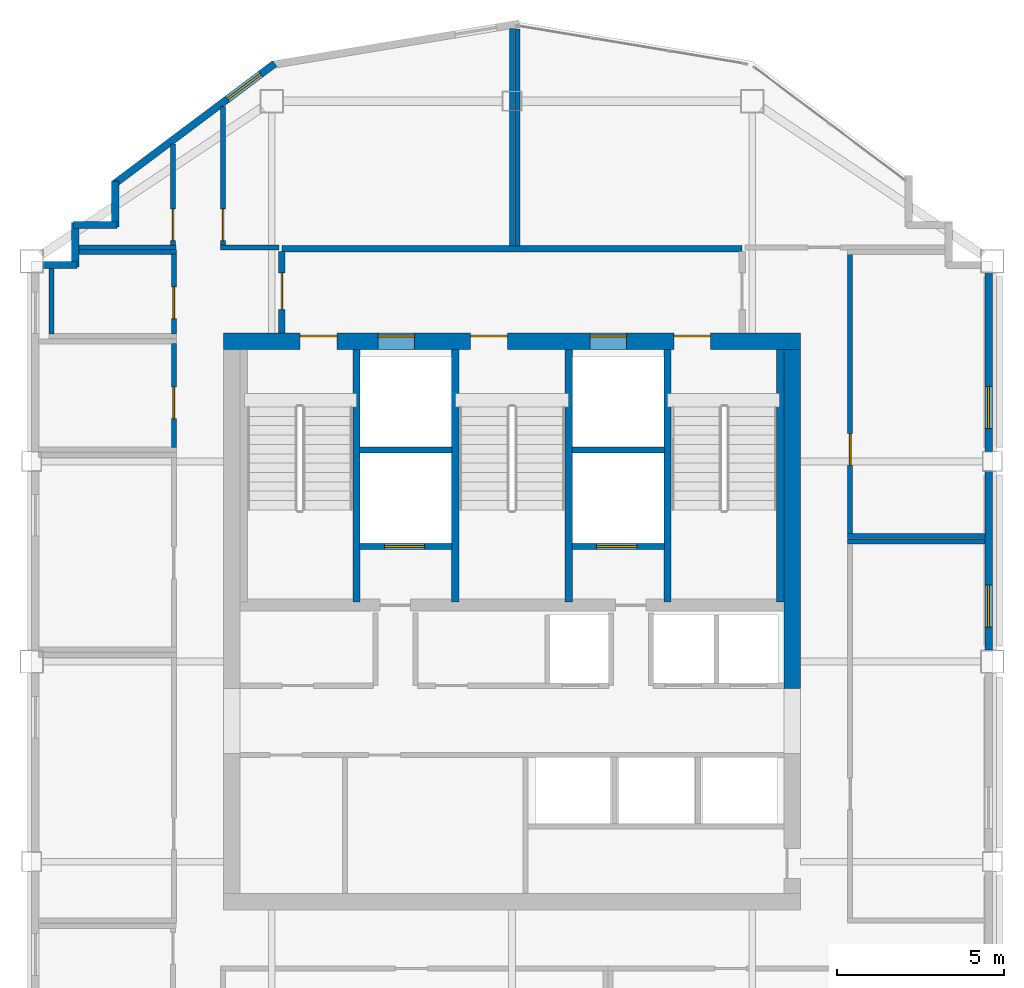
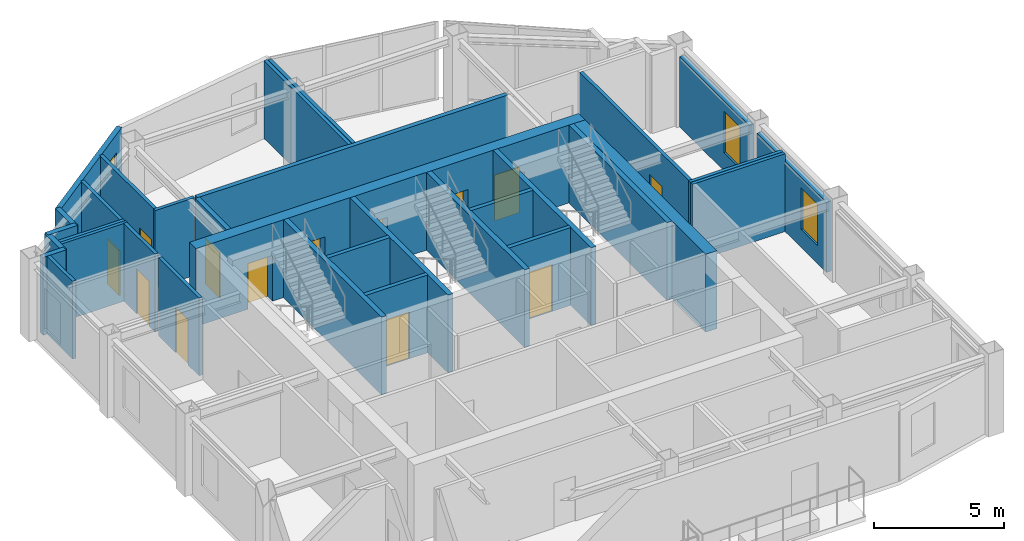
# One storey, part 6 of 8: 33 walls, 13 doors, 3 windows, 16 openings.
"""IFC4 building model written with IfcOpenShell, lengths in metres."""

from ifc_helpers import new_model, si_unit, direction, frame, frame_2d, origin, place, context, subcontext, project, spatial, rectangle, extrude, material, layer, layer_set, type_object, element, fill, save


model = new_model("IFC4")

# Units and contexts
model_context = context("Model", 3, precision=1e-05, world=origin(), true_north=direction((0.0, 1.0)))
body_context = subcontext(model_context, "Body", "Model", "MODEL_VIEW")
ifc_project = project(units=[si_unit("LENGTHUNIT", "METRE"), si_unit("AREAUNIT", "SQUARE_METRE"), si_unit("VOLUMEUNIT", "CUBIC_METRE"), si_unit("PLANEANGLEUNIT", "RADIAN"), si_unit("MASSUNIT", "GRAM", prefix="KILO")], contexts=[model_context])

# Site, building, storey
site_placement = place(None, origin())
site = spatial("IfcSite", under=ifc_project, at=site_placement, CompositionType="ELEMENT")
building_placement = place(site_placement, origin())
building = spatial("IfcBuilding", under=site, at=building_placement, Name="Haolan Belvedere Tower", CompositionType="ELEMENT")
storey_placement = place(building_placement, frame((0.0, 0.0, 309.5)))
storey = spatial("IfcBuildingStorey", under=building, at=storey_placement, Name="L78", CompositionType="ELEMENT", Elevation=309.5)

# Wall, openings, doors
ifc_material_1 = material(Name="Concrete C50/60", Category="concrete")
ifc_layer_1 = layer(ifc_material_1, 0.5, Name="Concrete C50/60")
ifc_layer_set_1 = layer_set([ifc_layer_1], Name="Concrete C50/60")
wall_type_1 = type_object("IfcWallType", Name="WL-CORE-500", PredefinedType="SHEAR", material=ifc_layer_set_1)
wall_1_placement = place(storey_placement, frame((29.75, 43.199951171875, 0.0), z_axis=(0.0, 0.0, 1.0), x_axis=(1.0, 0.0, 0.0)))
wall_1 = element("IfcWall", 1, at=wall_1_placement, inside=storey, type_object=wall_type_1, Name="L78 central core north shear wall", PredefinedType="SHEAR", context=body_context, shape_type="SweptSolid", body=[
    extrude(rectangle(XDim=17.300048828125, YDim=0.5, at=frame_2d((8.64990234375, 0.0))), origin(), (0.0, 0.0, 1.0), 3.659912109375),
])
opening_1_placement = place(wall_1_placement, frame((2.300048828125, 0.0, 0.0)))
opening_1 = element("IfcOpeningElement", 2, at=opening_1_placement, cuts=wall_1, Name="Opening FD-03", PredefinedType="OPENING", context=body_context, shape_type="SweptSolid", body=[
    extrude(rectangle(XDim=1.10009765625, YDim=2.14990234375, at=frame_2d((0.550048828125, 1.074951171875))), frame((0.0, 0.260009765625, 0.0), z_axis=(0.0, -1.0, 0.0), x_axis=(1.0, 0.0, 0.0)), (0.0, 0.0, 1.0), 0.52001953125),
])
opening_2_placement = place(wall_1_placement, frame((7.409912109375, 0.0, 0.0)))
opening_2 = element("IfcOpeningElement", 3, at=opening_2_placement, cuts=wall_1, Name="Opening FD-03", PredefinedType="OPENING", context=body_context, shape_type="SweptSolid", body=[
    extrude(rectangle(XDim=1.10009765625, YDim=2.14990234375, at=frame_2d((0.550048828125, 1.074951171875))), frame((0.0, 0.260009765625, 0.0), z_axis=(0.0, -1.0, 0.0), x_axis=(1.0, 0.0, 0.0)), (0.0, 0.0, 1.0), 0.52001953125),
])
opening_3_placement = place(wall_1_placement, frame((13.5, 0.0, 0.0)))
opening_3 = element("IfcOpeningElement", 4, at=opening_3_placement, cuts=wall_1, Name="Opening FD-03", PredefinedType="OPENING", context=body_context, shape_type="SweptSolid", body=[
    extrude(rectangle(XDim=1.10009765625, YDim=2.14990234375, at=frame_2d((0.550048828125, 1.074951171875))), frame((0.0, 0.260009765625, 0.0), z_axis=(0.0, -1.0, 0.0), x_axis=(1.0, 0.0, 0.0)), (0.0, 0.0, 1.0), 0.52001953125),
])
opening_4_placement = place(wall_1_placement, frame((4.6298828125, 0.0, 0.0)))
opening_4 = element("IfcOpeningElement", 5, at=opening_4_placement, cuts=wall_1, Name="Opening LD-01", PredefinedType="OPENING", context=body_context, shape_type="SweptSolid", body=[
    extrude(rectangle(XDim=1.10009765625, YDim=2.199951171875, at=frame_2d((0.550048828125, 1.10009765625))), frame((0.0, 0.260009765625, 0.0), z_axis=(0.0, -1.0, 0.0), x_axis=(1.0, 0.0, 0.0)), (0.0, 0.0, 1.0), 0.52001953125),
])
opening_5_placement = place(wall_1_placement, frame((10.989990234375, 0.0, 0.0)))
opening_5 = element("IfcOpeningElement", 6, at=opening_5_placement, cuts=wall_1, Name="Opening LD-01", PredefinedType="OPENING", context=body_context, shape_type="SweptSolid", body=[
    extrude(rectangle(XDim=1.10009765625, YDim=2.199951171875, at=frame_2d((0.550048828125, 1.10009765625))), frame((0.0, 0.260009765625, 0.0), z_axis=(0.0, -1.0, 0.0), x_axis=(1.0, 0.0, 0.0)), (0.0, 0.0, 1.0), 0.52001953125),
])
ifc_material_2 = material(Name="Galvanised fire-rated steel", Category="steel")
door_type_1 = type_object("IfcDoorType", Name="DR-FD90-1100", OperationType="NOTDEFINED", PredefinedType="DOOR", material=ifc_material_2)
door_1_placement = place(opening_1_placement, origin())
door_1 = element("IfcDoor", 7, at=door_1_placement, inside=storey, type_object=door_type_1, Name="L78 door CD-L78-ST1", OperationType="SINGLE_SWING_LEFT", OverallHeight=2.14990234375, OverallWidth=1.10009765625, PredefinedType="DOOR", context=body_context, shape_type="SweptSolid", body=[
    extrude(rectangle(XDim=1.10009765625, YDim=2.14990234375, at=frame_2d((0.550048828125, 1.074951171875))), frame((0.0, 0.18505859375, 0.0), z_axis=(0.0, -1.0, 0.0), x_axis=(1.0, 0.0, 0.0)), (0.0, 0.0, 1.0), 0.050048828125),
])
fill(opening_1, door_1)
door_2_placement = place(opening_2_placement, origin())
door_2 = element("IfcDoor", 8, at=door_2_placement, inside=storey, type_object=door_type_1, Name="L78 door CD-L78-ST3", OperationType="SINGLE_SWING_LEFT", OverallHeight=2.14990234375, OverallWidth=1.10009765625, PredefinedType="DOOR", context=body_context, shape_type="SweptSolid", body=[
    extrude(rectangle(XDim=1.10009765625, YDim=2.14990234375, at=frame_2d((0.550048828125, 1.074951171875))), frame((0.0, 0.18505859375, 0.0), z_axis=(0.0, -1.0, 0.0), x_axis=(1.0, 0.0, 0.0)), (0.0, 0.0, 1.0), 0.050048828125),
])
fill(opening_2, door_2)
door_3_placement = place(opening_3_placement, origin())
door_3 = element("IfcDoor", 9, at=door_3_placement, inside=storey, type_object=door_type_1, Name="L78 door CD-L78-ST2", OperationType="SINGLE_SWING_RIGHT", OverallHeight=2.14990234375, OverallWidth=1.10009765625, PredefinedType="DOOR", context=body_context, shape_type="SweptSolid", body=[
    extrude(rectangle(XDim=1.10009765625, YDim=2.14990234375, at=frame_2d((0.550048828125, 1.074951171875))), frame((0.0, 0.18505859375, 0.0), z_axis=(0.0, -1.0, 0.0), x_axis=(1.0, 0.0, 0.0)), (0.0, 0.0, 1.0), 0.050048828125),
])
fill(opening_3, door_3)
ifc_material_3 = material(Name="Brushed champagne stainless steel 316L", Category="steel")
door_type_2 = type_object("IfcDoorType", Name="DR-LIFT-1100", OperationType="SLIDING_TO_LEFT", PredefinedType="DOOR", material=ifc_material_3)
door_4_placement = place(opening_4_placement, origin())
door_4 = element("IfcDoor", 10, at=door_4_placement, inside=storey, type_object=door_type_2, Name="L78 door LD-L78-FF1", OperationType="SLIDING_TO_LEFT", OverallHeight=2.199951171875, OverallWidth=1.10009765625, PredefinedType="DOOR", context=body_context, shape_type="SweptSolid", body=[
    extrude(rectangle(XDim=1.10009765625, YDim=2.199951171875, at=frame_2d((0.550048828125, 1.10009765625))), frame((0.0, 0.18505859375, 0.0), z_axis=(0.0, -1.0, 0.0), x_axis=(1.0, 0.0, 0.0)), (0.0, 0.0, 1.0), 0.050048828125),
])
fill(opening_4, door_4)
door_5_placement = place(opening_5_placement, origin())
door_5 = element("IfcDoor", 11, at=door_5_placement, inside=storey, type_object=door_type_2, Name="L78 door LD-L78-FF2", OperationType="SLIDING_TO_LEFT", OverallHeight=2.199951171875, OverallWidth=1.10009765625, PredefinedType="DOOR", context=body_context, shape_type="SweptSolid", body=[
    extrude(rectangle(XDim=1.10009765625, YDim=2.199951171875, at=frame_2d((0.550048828125, 1.10009765625))), frame((0.0, 0.18505859375, 0.0), z_axis=(0.0, -1.0, 0.0), x_axis=(1.0, 0.0, 0.0)), (0.0, 0.0, 1.0), 0.050048828125),
])
fill(opening_5, door_5)

# Wall
wall_2_placement = place(storey_placement, frame((46.800048828125, 32.800048828125, 0.0), z_axis=(0.0, 0.0, 1.0), x_axis=(0.0, 1.0, 0.0)))
element("IfcWall", 12, at=wall_2_placement, inside=storey, type_object=wall_type_1, Name="L78 central core shear wall EN", PredefinedType="SHEAR", context=body_context, shape_type="SweptSolid", body=[
    extrude(rectangle(XDim=10.14990234375, YDim=0.5, at=frame_2d((5.074951171875, 0.0))), origin(), (0.0, 0.0, 1.0), 3.659912109375),
])

# Wall, opening, window
ifc_material_4 = material(Name="Precast concrete C40/50", Category="concrete")
ifc_layer_2 = layer(ifc_material_4, 0.219970703125, Name="Precast concrete C40/50")
ifc_layer_set_2 = layer_set([ifc_layer_2], Name="Precast concrete C40/50")
wall_type_2 = type_object("IfcWallType", Name="WL-EXT-220", PredefinedType="SOLIDWALL", material=ifc_layer_set_2)
wall_3_placement = place(storey_placement, frame((52.68994140625, 33.94189453125, 0.0), z_axis=(0.0, 0.0, 1.0), x_axis=(0.0, 1.0, 0.0)))
wall_3 = element("IfcWall", 13, at=wall_3_placement, inside=storey, type_object=wall_type_2, Name="L78 pale-metal exterior spandrel wall 3.3", PredefinedType="SOLIDWALL", context=body_context, shape_type="SweptSolid", body=[
    extrude(rectangle(XDim=5.3662109375, YDim=0.219970703125, at=frame_2d((2.68310546875, 0.0))), origin(), (0.0, 0.0, 1.0), 3.304931640625),
])
opening_6_placement = place(wall_3_placement, frame((0.699951171875, 0.0, 0.85009765625)))
opening_6 = element("IfcOpeningElement", 14, at=opening_6_placement, cuts=wall_3, Name="Opening W-04", PredefinedType="OPENING", context=body_context, shape_type="SweptSolid", body=[
    extrude(rectangle(XDim=1.25, YDim=1.949951171875, at=frame_2d((0.625, 0.97509765625))), frame((0.0, 0.119873046875, 0.0), z_axis=(0.0, -1.0, 0.0), x_axis=(1.0, 0.0, 0.0)), (0.0, 0.0, 1.0), 0.239990234375),
])
ifc_material_5 = material(Name="Anodised aluminium 6063-T6 and Low-E glass", Category="aluminium")
window_type = type_object("IfcWindowType", Name="WN-DECO-Z4", PartitioningType="SINGLE_PANEL", PredefinedType="WINDOW", material=ifc_material_5)
window_1_placement = place(opening_6_placement, origin())
window_1 = element("IfcWindow", 15, at=window_1_placement, inside=storey, type_object=window_type, Name="L78 Art Deco chevron window 1", OverallHeight=1.949951171875, OverallWidth=1.25, PartitioningType="SINGLE_PANEL", PredefinedType="WINDOW", context=body_context, shape_type="SweptSolid", body=[
    extrude(rectangle(XDim=1.25, YDim=1.949951171875, at=frame_2d((0.625, 0.97509765625))), frame((0.0, 0.030029296875, 0.0), z_axis=(0.0, -1.0, 0.0), x_axis=(1.0, 0.0, 0.0)), (0.0, 0.0, 1.0), 0.06005859375),
])
fill(opening_6, window_1)

wall_4_placement = place(storey_placement, frame((52.68994140625, 39.89208984375, 0.0), z_axis=(0.0, 0.0, 1.0), x_axis=(0.0, 1.0, 0.0)))
wall_4 = element("IfcWall", 16, at=wall_4_placement, inside=storey, type_object=wall_type_2, Name="L78 pale-metal exterior spandrel wall 3.4", PredefinedType="SOLIDWALL", context=body_context, shape_type="SweptSolid", body=[
    extrude(rectangle(XDim=5.365966796875, YDim=0.219970703125, at=frame_2d((2.68310546875, 0.0))), origin(), (0.0, 0.0, 1.0), 3.304931640625),
])
opening_7_placement = place(wall_4_placement, frame((0.699951171875, 0.0, 0.85009765625)))
opening_7 = element("IfcOpeningElement", 17, at=opening_7_placement, cuts=wall_4, Name="Opening W-04", PredefinedType="OPENING", context=body_context, shape_type="SweptSolid", body=[
    extrude(rectangle(XDim=1.25, YDim=1.949951171875, at=frame_2d((0.625, 0.97509765625))), frame((0.0, 0.119873046875, 0.0), z_axis=(0.0, -1.0, 0.0), x_axis=(1.0, 0.0, 0.0)), (0.0, 0.0, 1.0), 0.239990234375),
])
window_2_placement = place(opening_7_placement, origin())
window_2 = element("IfcWindow", 18, at=window_2_placement, inside=storey, type_object=window_type, Name="L78 Art Deco chevron window 1", OverallHeight=1.949951171875, OverallWidth=1.25, PartitioningType="SINGLE_PANEL", PredefinedType="WINDOW", context=body_context, shape_type="SweptSolid", body=[
    extrude(rectangle(XDim=1.25, YDim=1.949951171875, at=frame_2d((0.625, 0.97509765625))), frame((0.0, 0.030029296875, 0.0), z_axis=(0.0, -1.0, 0.0), x_axis=(1.0, 0.0, 0.0)), (0.0, 0.0, 1.0), 0.06005859375),
])
fill(opening_7, window_2)

wall_5_placement = place(storey_placement, frame((31.28857421875, 51.52880859375, 0.0), z_axis=(0.0, 0.0, 1.0), x_axis=(-0.800014580093, -0.599980559383, 0.0)))
wall_5 = element("IfcWall", 19, at=wall_5_placement, inside=storey, type_object=wall_type_2, Name="L78 pale-metal exterior spandrel wall 11.1", PredefinedType="SOLIDWALL", context=body_context, shape_type="SweptSolid", body=[
    extrude(rectangle(XDim=6.028076171875, YDim=0.219970703125, at=frame_2d((3.01416015625, 0.0))), origin(), (0.0, 0.0, 1.0), 3.659912109375),
])
opening_8_placement = place(wall_5_placement, frame((0.527099609375, 0.0, 0.85009765625)))
opening_8 = element("IfcOpeningElement", 20, at=opening_8_placement, cuts=wall_5, Name="Opening W-04", PredefinedType="OPENING", context=body_context, shape_type="SweptSolid", body=[
    extrude(rectangle(XDim=1.25, YDim=1.949951171875, at=frame_2d((0.625, 0.97509765625))), frame((0.0, 0.119873046875, 0.0), z_axis=(0.0, -1.0, 0.0), x_axis=(1.0, 0.0, 0.0)), (0.0, 0.0, 1.0), 0.239990234375),
])
window_3_placement = place(opening_8_placement, origin())
window_3 = element("IfcWindow", 21, at=window_3_placement, inside=storey, type_object=window_type, Name="L78 Art Deco chevron window 1", OverallHeight=1.949951171875, OverallWidth=1.25, PartitioningType="SINGLE_PANEL", PredefinedType="WINDOW", context=body_context, shape_type="SweptSolid", body=[
    extrude(rectangle(XDim=1.25, YDim=1.949951171875, at=frame_2d((0.625, 0.97509765625))), frame((0.0, 0.030029296875, 0.0), z_axis=(0.0, -1.0, 0.0), x_axis=(1.0, 0.0, 0.0)), (0.0, 0.0, 1.0), 0.06005859375),
])
fill(opening_8, window_3)

# Walls
wall_6_placement = place(storey_placement, frame((26.510009765625, 48.0, 0.0), z_axis=(0.0, 0.0, 1.0), x_axis=(0.0, -1.0, 0.0)))
element("IfcWall", 22, at=wall_6_placement, inside=storey, type_object=wall_type_2, Name="L78 pale-metal exterior spandrel wall 12.1", PredefinedType="SOLIDWALL", context=body_context, shape_type="SweptSolid", body=[
    extrude(rectangle(XDim=1.364990234375, YDim=0.219970703125, at=frame_2d((0.6826171875, 0.0))), origin(), (0.0, 0.0, 1.0), 3.659912109375),
])
for number, where, z_axis, x_axis, name in (
    (23, (26.56494140625, 46.68994140625, 0.0), (0.0, 0.0, 1.0), (-1.0, 0.0, 0.0), "L78 pale-metal exterior spandrel wall 13.1"),
    (24, (25.31005859375, 46.7451171875, 0.0), (0.0, 0.0, 1.0), (0.0, -1.0, 0.0), "L78 pale-metal exterior spandrel wall 14.1"),
):
    element("IfcWall", number, at=place(storey_placement, frame(where, z_axis=z_axis, x_axis=x_axis)), inside=storey, type_object=wall_type_2, Name=name, PredefinedType="SOLIDWALL", context=body_context, shape_type="SweptSolid", body=[
        extrude(rectangle(XDim=1.31005859375, YDim=0.219970703125, at=frame_2d((0.655029296875, 0.0))), origin(), (0.0, 0.0, 1.0), 3.659912109375),
    ])
wall_7_placement = place(storey_placement, frame((25.364990234375, 45.489990234375, 0.0), z_axis=(0.0, 0.0, 1.0), x_axis=(-1.0, 0.0, 0.0)))
element("IfcWall", 25, at=wall_7_placement, inside=storey, type_object=wall_type_2, Name="L78 pale-metal exterior spandrel wall 15.1", PredefinedType="SOLIDWALL", context=body_context, shape_type="SweptSolid", body=[
    extrude(rectangle(XDim=1.02294921875, YDim=0.219970703125, at=frame_2d((0.511474609375, 0.0))), origin(), (0.0, 0.0, 1.0), 3.659912109375),
])
ifc_material_6 = material(Name="Concrete C40/50", Category="concrete")
ifc_layer_3 = layer(ifc_material_6, 0.199951171875, Name="Concrete C40/50")
ifc_layer_set_3 = layer_set([ifc_layer_3], Name="Concrete C40/50")
wall_type_3 = type_object("IfcWallType", Name="WL-FIRE-200", PredefinedType="SOLIDWALL", material=ifc_layer_set_3)
wall_8_placement = place(storey_placement, frame((31.5, 45.97998046875, 0.0), z_axis=(0.0, 0.0, 1.0), x_axis=(1.0, 0.0, 0.0)))
element("IfcWall", 26, at=wall_8_placement, inside=storey, type_object=wall_type_3, Name="L78 interior partition IW-L78-FFL-N", PredefinedType="SOLIDWALL", context=body_context, shape_type="SweptSolid", body=[
    extrude(rectangle(XDim=13.800048828125, YDim=0.199951171875, at=frame_2d((6.89990234375, 0.0))), origin(), (0.0, 0.0, 1.0), 3.659912109375),
])

# Wall, opening, door
wall_9_placement = place(storey_placement, frame((31.5, 43.449951171875, 0.0), z_axis=(0.0, 0.0, 1.0), x_axis=(0.0, 1.0, 0.0)))
wall_9 = element("IfcWall", 27, at=wall_9_placement, inside=storey, type_object=wall_type_3, Name="L78 interior partition IW-L78-FFL-W", PredefinedType="SOLIDWALL", context=body_context, shape_type="SweptSolid", body=[
    extrude(rectangle(XDim=2.445068359375, YDim=0.199951171875, at=frame_2d((1.22265625, 0.0))), origin(), (0.0, 0.0, 1.0), 3.659912109375),
])
opening_9_placement = place(wall_9_placement, frame((1.800048828125, 0.0, 0.0), z_axis=(0.0, 0.0, 1.0), x_axis=(-1.0, 0.0, 0.0)))
opening_9 = element("IfcOpeningElement", 28, at=opening_9_placement, cuts=wall_9, Name="Opening FD-03", PredefinedType="OPENING", context=body_context, shape_type="SweptSolid", body=[
    extrude(rectangle(XDim=1.10009765625, YDim=2.14990234375, at=frame_2d((0.550048828125, 1.074951171875))), frame((0.0, 0.10986328125, 0.0), z_axis=(0.0, -1.0, 0.0), x_axis=(1.0, 0.0, 0.0)), (0.0, 0.0, 1.0), 0.219970703125),
])
door_6_placement = place(opening_9_placement, origin())
door_6 = element("IfcDoor", 29, at=door_6_placement, inside=storey, type_object=door_type_1, Name="L78 door ID-L78-FFL-DW", OperationType="SINGLE_SWING_LEFT", OverallHeight=2.14990234375, OverallWidth=1.10009765625, PredefinedType="DOOR", context=body_context, shape_type="SweptSolid", body=[
    extrude(rectangle(XDim=1.10009765625, YDim=2.14990234375, at=frame_2d((0.550048828125, 1.074951171875))), frame((0.0, 0.02490234375, 0.0), z_axis=(0.0, -1.0, 0.0), x_axis=(1.0, 0.0, 0.0)), (0.0, 0.0, 1.0), 0.050048828125),
])
fill(opening_9, door_6)

ifc_material_7 = material(Name="Double gypsum acoustic stud partition", Category="masonry")
ifc_layer_4 = layer(ifc_material_7, 0.14990234375, Name="Double gypsum acoustic stud partition")
ifc_layer_set_4 = layer_set([ifc_layer_4], Name="Double gypsum acoustic stud partition")
wall_type_4 = type_object("IfcWallType", Name="WL-PART-150", PredefinedType="PARTITIONING", material=ifc_layer_set_4)
wall_10_placement = place(storey_placement, frame((28.260009765625, 40.02001953125, 0.0), z_axis=(0.0, 0.0, 1.0), x_axis=(0.0, 1.0, 0.0)))
wall_10 = element("IfcWall", 30, at=wall_10_placement, inside=storey, type_object=wall_type_4, Name="L78 interior partition IW-L78-PH-STYW-E", PredefinedType="PARTITIONING", context=body_context, shape_type="SweptSolid", body=[
    extrude(rectangle(XDim=3.119873046875, YDim=0.14990234375, at=frame_2d((1.56005859375, 0.0))), origin(), (0.0, 0.0, 1.0), 3.659912109375),
])
opening_10_placement = place(wall_10_placement, frame((1.81005859375, 0.0, 0.0), z_axis=(0.0, 0.0, 1.0), x_axis=(-1.0, 0.0, 0.0)))
opening_10 = element("IfcOpeningElement", 31, at=opening_10_placement, cuts=wall_10, Name="Opening ID-03", PredefinedType="OPENING", context=body_context, shape_type="SweptSolid", body=[
    extrude(rectangle(XDim=0.949951171875, YDim=2.1201171875, at=frame_2d((0.47509765625, 1.06005859375))), frame((0.0, 0.0849609375, 0.0), z_axis=(0.0, -1.0, 0.0), x_axis=(1.0, 0.0, 0.0)), (0.0, 0.0, 1.0), 0.169921875),
])
ifc_material_8 = material(Name="Painted solid-core timber", Category="wood")
door_type_3 = type_object("IfcDoorType", Name="DR-INT-950", OperationType="NOTDEFINED", PredefinedType="DOOR", material=ifc_material_8)
door_7_placement = place(opening_10_placement, origin())
door_7 = element("IfcDoor", 32, at=door_7_placement, inside=storey, type_object=door_type_3, Name="L78 door ID-L78-PH-STYW", OperationType="SINGLE_SWING_LEFT", OverallHeight=2.1201171875, OverallWidth=0.949951171875, PredefinedType="DOOR", context=body_context, shape_type="SweptSolid", body=[
    extrude(rectangle(XDim=0.949951171875, YDim=2.1201171875, at=frame_2d((0.47509765625, 1.06005859375))), frame((0.0, 0.02490234375, 0.0), z_axis=(0.0, -1.0, 0.0), x_axis=(1.0, 0.0, 0.0)), (0.0, 0.0, 1.0), 0.050048828125),
])
fill(opening_10, door_7)

# Walls
wall_11_placement = place(storey_placement, frame((25.412109375, 45.8798828125, 0.0), z_axis=(0.0, 0.0, 1.0), x_axis=(1.0, 0.0, 0.0)))
element("IfcWall", 33, at=wall_11_placement, inside=storey, type_object=wall_type_4, Name="L78 interior partition IW-L78-AWC-N", PredefinedType="PARTITIONING", context=body_context, shape_type="SweptSolid", body=[
    extrude(rectangle(XDim=2.927978515625, YDim=0.14990234375, at=frame_2d((1.4638671875, 0.0))), origin(), (0.0, 0.0, 1.0), 3.659912109375),
])
wall_12_placement = place(storey_placement, frame((24.60009765625, 43.419921875, 0.0), z_axis=(0.0, 0.0, 1.0), x_axis=(0.0, 1.0, 0.0)))
element("IfcWall", 34, at=wall_12_placement, inside=storey, type_object=wall_type_4, Name="L78 interior partition IW-L78-AWC-W", PredefinedType="PARTITIONING", context=body_context, shape_type="SweptSolid", body=[
    extrude(rectangle(XDim=1.968017578125, YDim=0.14990234375, at=frame_2d((0.98388671875, 0.0))), origin(), (0.0, 0.0, 1.0), 3.659912109375),
])

# Wall, opening, door
wall_13_placement = place(storey_placement, frame((28.260009765625, 43.419921875, 0.0), z_axis=(0.0, 0.0, 1.0), x_axis=(0.0, 1.0, 0.0)))
wall_13 = element("IfcWall", 35, at=wall_13_placement, inside=storey, type_object=wall_type_4, Name="L78 interior partition IW-L78-AWC-E", PredefinedType="PARTITIONING", context=body_context, shape_type="SweptSolid", body=[
    extrude(rectangle(XDim=2.400146484375, YDim=0.14990234375, at=frame_2d((1.2001953125, 0.0))), origin(), (0.0, 0.0, 1.0), 3.659912109375),
])
opening_11_placement = place(wall_13_placement, frame((1.409912109375, 0.0, 0.0), z_axis=(0.0, 0.0, 1.0), x_axis=(-1.0, 0.0, 0.0)))
opening_11 = element("IfcOpeningElement", 36, at=opening_11_placement, cuts=wall_13, Name="Opening ID-03", PredefinedType="OPENING", context=body_context, shape_type="SweptSolid", body=[
    extrude(rectangle(XDim=0.949951171875, YDim=2.1201171875, at=frame_2d((0.47509765625, 1.06005859375))), frame((0.0, 0.0849609375, 0.0), z_axis=(0.0, -1.0, 0.0), x_axis=(1.0, 0.0, 0.0)), (0.0, 0.0, 1.0), 0.169921875),
])
door_8_placement = place(opening_11_placement, origin())
door_8 = element("IfcDoor", 37, at=door_8_placement, inside=storey, type_object=door_type_3, Name="L78 door ID-L78-AWC", OperationType="SINGLE_SWING_RIGHT", OverallHeight=2.1201171875, OverallWidth=0.949951171875, PredefinedType="DOOR", context=body_context, shape_type="SweptSolid", body=[
    extrude(rectangle(XDim=0.949951171875, YDim=2.1201171875, at=frame_2d((0.47509765625, 1.06005859375))), frame((0.0, 0.02490234375, 0.0), z_axis=(0.0, -1.0, 0.0), x_axis=(1.0, 0.0, 0.0)), (0.0, 0.0, 1.0), 0.050048828125),
])
fill(opening_11, door_8)

# Walls
for number, where, z_axis, x_axis, name in (
    (38, (48.4599609375, 37.199951171875, 0.0), (0.0, 0.0, 1.0), (1.0, 0.0, 0.0), "L78 interior partition IW-L78-PH-BRDE-N"),
    (39, (48.4599609375, 37.360107421875, 0.0), (0.0, 0.0, 1.0), (1.0, 0.0, 0.0), "L78 interior partition IW-L78-PH-SPAE-S"),
):
    element("IfcWall", number, at=place(storey_placement, frame(where, z_axis=z_axis, x_axis=x_axis)), inside=storey, type_object=wall_type_4, Name=name, PredefinedType="PARTITIONING", context=body_context, shape_type="SweptSolid", body=[
        extrude(rectangle(XDim=4.1279296875, YDim=0.14990234375, at=frame_2d((2.06396484375, 0.0))), origin(), (0.0, 0.0, 1.0), 3.659912109375),
    ])

# Wall, opening, door
wall_14_placement = place(storey_placement, frame((48.5400390625, 37.419921875, 0.0), z_axis=(0.0, 0.0, 1.0), x_axis=(0.0, 1.0, 0.0)))
wall_14 = element("IfcWall", 40, at=wall_14_placement, inside=storey, type_object=wall_type_4, Name="L78 interior partition IW-L78-PH-SPAE-W", PredefinedType="PARTITIONING", context=body_context, shape_type="SweptSolid", body=[
    extrude(rectangle(XDim=8.400146484375, YDim=0.14990234375, at=frame_2d((4.2001953125, 0.0))), origin(), (0.0, 0.0, 1.0), 3.659912109375),
])
opening_12_placement = place(wall_14_placement, frame((2.06005859375, 0.0, 0.0)))
opening_12 = element("IfcOpeningElement", 41, at=opening_12_placement, cuts=wall_14, Name="Opening ID-03", PredefinedType="OPENING", context=body_context, shape_type="SweptSolid", body=[
    extrude(rectangle(XDim=0.949951171875, YDim=2.1201171875, at=frame_2d((0.47509765625, 1.06005859375))), frame((0.0, 0.0849609375, 0.0), z_axis=(0.0, -1.0, 0.0), x_axis=(1.0, 0.0, 0.0)), (0.0, 0.0, 1.0), 0.169921875),
])
door_9_placement = place(opening_12_placement, origin())
door_9 = element("IfcDoor", 42, at=door_9_placement, inside=storey, type_object=door_type_3, Name="L78 door ID-L78-PH-SPAE", OperationType="SINGLE_SWING_LEFT", OverallHeight=2.1201171875, OverallWidth=0.949951171875, PredefinedType="DOOR", context=body_context, shape_type="SweptSolid", body=[
    extrude(rectangle(XDim=0.949951171875, YDim=2.1201171875, at=frame_2d((0.47509765625, 1.06005859375))), frame((0.0, 0.02490234375, 0.0), z_axis=(0.0, -1.0, 0.0), x_axis=(1.0, 0.0, 0.0)), (0.0, 0.0, 1.0), 0.050048828125),
])
fill(opening_12, door_9)

# Wall
wall_15_placement = place(storey_placement, frame((25.412109375, 46.02001953125, 0.0), z_axis=(0.0, 0.0, 1.0), x_axis=(1.0, 0.0, 0.0)))
element("IfcWall", 43, at=wall_15_placement, inside=storey, type_object=wall_type_4, Name="L78 interior partition IW-L78-PH-NWST-S", PredefinedType="PARTITIONING", context=body_context, shape_type="SweptSolid", body=[
    extrude(rectangle(XDim=2.907958984375, YDim=0.14990234375, at=frame_2d((1.4541015625, 0.0))), origin(), (0.0, 0.0, 1.0), 3.659912109375),
])

# Wall, opening, door
wall_16_placement = place(storey_placement, frame((28.239990234375, 46.080078125, 0.0), z_axis=(0.0, 0.0, 1.0), x_axis=(0.0, 1.0, 0.0)))
wall_16 = element("IfcWall", 44, at=wall_16_placement, inside=storey, type_object=wall_type_4, Name="L78 interior partition IW-L78-PH-NWST-E", PredefinedType="PARTITIONING", context=body_context, shape_type="SweptSolid", body=[
    extrude(rectangle(XDim=3.034912109375, YDim=0.14990234375, at=frame_2d((1.517578125, 0.0))), origin(), (0.0, 0.0, 1.0), 3.659912109375),
])
opening_13_placement = place(wall_16_placement, frame((1.08984375, 0.0, 0.0), z_axis=(0.0, 0.0, 1.0), x_axis=(-1.0, 0.0, 0.0)))
opening_13 = element("IfcOpeningElement", 45, at=opening_13_placement, cuts=wall_16, Name="Opening ID-03", PredefinedType="OPENING", context=body_context, shape_type="SweptSolid", body=[
    extrude(rectangle(XDim=0.949951171875, YDim=2.1201171875, at=frame_2d((0.47509765625, 1.06005859375))), frame((0.0, 0.0849609375, 0.0), z_axis=(0.0, -1.0, 0.0), x_axis=(1.0, 0.0, 0.0)), (0.0, 0.0, 1.0), 0.169921875),
])
door_10_placement = place(opening_13_placement, origin())
door_10 = element("IfcDoor", 46, at=door_10_placement, inside=storey, type_object=door_type_3, Name="L78 door ID-L78-PH-NWST", OperationType="SINGLE_SWING_RIGHT", OverallHeight=2.1201171875, OverallWidth=0.949951171875, PredefinedType="DOOR", context=body_context, shape_type="SweptSolid", body=[
    extrude(rectangle(XDim=0.949951171875, YDim=2.1201171875, at=frame_2d((0.47509765625, 1.06005859375))), frame((0.0, 0.02490234375, 0.0), z_axis=(0.0, -1.0, 0.0), x_axis=(1.0, 0.0, 0.0)), (0.0, 0.0, 1.0), 0.050048828125),
])
fill(opening_13, door_10)

# Wall
wall_17_placement = place(storey_placement, frame((29.659912109375, 46.02001953125, 0.0), z_axis=(0.0, 0.0, 1.0), x_axis=(1.0, 0.0, 0.0)))
element("IfcWall", 47, at=wall_17_placement, inside=storey, type_object=wall_type_4, Name="L78 interior partition IW-L78-PHN1-S", PredefinedType="PARTITIONING", context=body_context, shape_type="SweptSolid", body=[
    extrude(rectangle(XDim=1.755126953125, YDim=0.14990234375, at=frame_2d((0.87744140625, 0.0))), origin(), (0.0, 0.0, 1.0), 3.659912109375),
])

# Wall, opening, door
wall_18_placement = place(storey_placement, frame((29.739990234375, 46.080078125, 0.0), z_axis=(0.0, 0.0, 1.0), x_axis=(0.0, 1.0, 0.0)))
wall_18 = element("IfcWall", 48, at=wall_18_placement, inside=storey, type_object=wall_type_4, Name="L78 interior partition IW-L78-PHN1-W", PredefinedType="PARTITIONING", context=body_context, shape_type="SweptSolid", body=[
    extrude(rectangle(XDim=4.159912109375, YDim=0.14990234375, at=frame_2d((2.080078125, 0.0))), origin(), (0.0, 0.0, 1.0), 3.659912109375),
])
opening_14_placement = place(wall_18_placement, frame((0.139892578125, 0.0, 0.0)))
opening_14 = element("IfcOpeningElement", 49, at=opening_14_placement, cuts=wall_18, Name="Opening ID-03", PredefinedType="OPENING", context=body_context, shape_type="SweptSolid", body=[
    extrude(rectangle(XDim=0.949951171875, YDim=2.1201171875, at=frame_2d((0.47509765625, 1.06005859375))), frame((0.0, 0.0849609375, 0.0), z_axis=(0.0, -1.0, 0.0), x_axis=(1.0, 0.0, 0.0)), (0.0, 0.0, 1.0), 0.169921875),
])
door_11_placement = place(opening_14_placement, origin())
door_11 = element("IfcDoor", 50, at=door_11_placement, inside=storey, type_object=door_type_3, Name="L78 door ID-L78-PHN1", OperationType="SINGLE_SWING_LEFT", OverallHeight=2.1201171875, OverallWidth=0.949951171875, PredefinedType="DOOR", context=body_context, shape_type="SweptSolid", body=[
    extrude(rectangle(XDim=0.949951171875, YDim=2.1201171875, at=frame_2d((0.47509765625, 1.06005859375))), frame((0.0, 0.02490234375, 0.0), z_axis=(0.0, -1.0, 0.0), x_axis=(1.0, 0.0, 0.0)), (0.0, 0.0, 1.0), 0.050048828125),
])
fill(opening_14, door_11)

# Walls
wall_19_placement = place(storey_placement, frame((38.39990234375, 46.06494140625, 0.0), z_axis=(0.0, 0.0, 1.0), x_axis=(0.0, 1.0, 0.0)))
element("IfcWall", 51, at=wall_19_placement, inside=storey, type_object=wall_type_4, Name="L78 interior partition IW-L78-PHN1-E", PredefinedType="PARTITIONING", context=body_context, shape_type="SweptSolid", body=[
    extrude(rectangle(XDim=6.520263671875, YDim=0.14990234375, at=frame_2d((3.26025390625, 0.0))), origin(), (0.0, 0.0, 1.0), 3.659912109375),
])
wall_20_placement = place(storey_placement, frame((38.56005859375, 46.06494140625, 0.0), z_axis=(0.0, 0.0, 1.0), x_axis=(0.0, 1.0, 0.0)))
element("IfcWall", 52, at=wall_20_placement, inside=storey, type_object=wall_type_4, Name="L78 interior partition IW-L78-PH-MUS-W", PredefinedType="PARTITIONING", context=body_context, shape_type="SweptSolid", body=[
    extrude(rectangle(XDim=6.493408203125, YDim=0.14990234375, at=frame_2d((3.24658203125, 0.0))), origin(), (0.0, 0.0, 1.0), 3.659912109375),
])
ifc_layer_5 = layer(ifc_material_4, 0.179931640625, Name="Precast concrete C40/50")
ifc_layer_set_5 = layer_set([ifc_layer_5], Name="Precast concrete C40/50")
wall_type_5 = type_object("IfcWallType", Name="WL-SHAFT-180", PredefinedType="SOLIDWALL", material=ifc_layer_set_5)
for number, where, z_axis, x_axis, name in (
    (53, (33.8349609375, 39.949951171875, 0.0), (0.0, 0.0, 1.0), (1.0, 0.0, 0.0), "L78 interior partition IW-L78-FF1-S"),
    (54, (40.195068359375, 39.949951171875, 0.0), (0.0, 0.0, 1.0), (1.0, 0.0, 0.0), "L78 interior partition IW-L78-FF2-S"),
):
    element("IfcWall", number, at=place(storey_placement, frame(where, z_axis=z_axis, x_axis=x_axis)), inside=storey, type_object=wall_type_5, Name=name, PredefinedType="SOLIDWALL", context=body_context, shape_type="SweptSolid", body=[
        extrude(rectangle(XDim=2.77001953125, YDim=0.179931640625, at=frame_2d((1.385009765625, 0.0))), origin(), (0.0, 0.0, 1.0), 3.659912109375),
    ])

# Wall, opening, door
wall_21_placement = place(storey_placement, frame((33.8349609375, 37.050048828125, 0.0), z_axis=(0.0, 0.0, 1.0), x_axis=(1.0, 0.0, 0.0)))
wall_21 = element("IfcWall", 55, at=wall_21_placement, inside=storey, type_object=wall_type_5, Name="L78 interior partition IW-L78-SV1-S", PredefinedType="SOLIDWALL", context=body_context, shape_type="SweptSolid", body=[
    extrude(rectangle(XDim=2.77001953125, YDim=0.179931640625, at=frame_2d((1.385009765625, 0.0))), origin(), (0.0, 0.0, 1.0), 3.659912109375),
])
opening_15_placement = place(wall_21_placement, frame((1.945068359375, 0.0, 0.0), z_axis=(0.0, 0.0, 1.0), x_axis=(-1.0, 0.0, 0.0)))
opening_15 = element("IfcOpeningElement", 56, at=opening_15_placement, cuts=wall_21, Name="Opening LD-02", PredefinedType="OPENING", context=body_context, shape_type="SweptSolid", body=[
    extrude(rectangle(XDim=1.199951171875, YDim=2.199951171875, at=frame_2d((0.60009765625, 1.10009765625))), frame((0.0, 0.099853515625, 0.0), z_axis=(0.0, -1.0, 0.0), x_axis=(1.0, 0.0, 0.0)), (0.0, 0.0, 1.0), 0.199951171875),
])
door_type_4 = type_object("IfcDoorType", Name="DR-LIFT-1200", OperationType="SLIDING_TO_RIGHT", PredefinedType="DOOR", material=ifc_material_3)
door_12_placement = place(opening_15_placement, origin())
door_12 = element("IfcDoor", 57, at=door_12_placement, inside=storey, type_object=door_type_4, Name="L78 door ID-L78-LD-SV1", OperationType="SLIDING_TO_RIGHT", OverallHeight=2.199951171875, OverallWidth=1.199951171875, PredefinedType="DOOR", context=body_context, shape_type="SweptSolid", body=[
    extrude(rectangle(XDim=1.199951171875, YDim=2.199951171875, at=frame_2d((0.60009765625, 1.10009765625))), frame((0.0, 0.02490234375, 0.0), z_axis=(0.0, -1.0, 0.0), x_axis=(1.0, 0.0, 0.0)), (0.0, 0.0, 1.0), 0.050048828125),
])
fill(opening_15, door_12)

wall_22_placement = place(storey_placement, frame((40.195068359375, 37.050048828125, 0.0), z_axis=(0.0, 0.0, 1.0), x_axis=(1.0, 0.0, 0.0)))
wall_22 = element("IfcWall", 58, at=wall_22_placement, inside=storey, type_object=wall_type_5, Name="L78 interior partition IW-L78-SV2-S", PredefinedType="SOLIDWALL", context=body_context, shape_type="SweptSolid", body=[
    extrude(rectangle(XDim=2.77001953125, YDim=0.179931640625, at=frame_2d((1.385009765625, 0.0))), origin(), (0.0, 0.0, 1.0), 3.659912109375),
])
opening_16_placement = place(wall_22_placement, frame((1.945068359375, 0.0, 0.0), z_axis=(0.0, 0.0, 1.0), x_axis=(-1.0, 0.0, 0.0)))
opening_16 = element("IfcOpeningElement", 59, at=opening_16_placement, cuts=wall_22, Name="Opening LD-02", PredefinedType="OPENING", context=body_context, shape_type="SweptSolid", body=[
    extrude(rectangle(XDim=1.199951171875, YDim=2.199951171875, at=frame_2d((0.60009765625, 1.10009765625))), frame((0.0, 0.099853515625, 0.0), z_axis=(0.0, -1.0, 0.0), x_axis=(1.0, 0.0, 0.0)), (0.0, 0.0, 1.0), 0.199951171875),
])
door_13_placement = place(opening_16_placement, origin())
door_13 = element("IfcDoor", 60, at=door_13_placement, inside=storey, type_object=door_type_4, Name="L78 door ID-L78-LD-SV2", OperationType="SLIDING_TO_RIGHT", OverallHeight=2.199951171875, OverallWidth=1.199951171875, PredefinedType="DOOR", context=body_context, shape_type="SweptSolid", body=[
    extrude(rectangle(XDim=1.199951171875, YDim=2.199951171875, at=frame_2d((0.60009765625, 1.10009765625))), frame((0.0, 0.02490234375, 0.0), z_axis=(0.0, -1.0, 0.0), x_axis=(1.0, 0.0, 0.0)), (0.0, 0.0, 1.0), 0.050048828125),
])
fill(opening_16, door_13)

# Walls
ifc_layer_6 = layer(ifc_material_1, 0.219970703125, Name="Concrete C50/60")
ifc_layer_set_6 = layer_set([ifc_layer_6], Name="Concrete C50/60")
wall_type_6 = type_object("IfcWallType", Name="WL-STAIR-220", PredefinedType="SHEAR", material=ifc_layer_set_6)
for number, where, z_axis, x_axis, name in (
    (61, (33.739990234375, 35.389892578125, 0.0), (0.0, 0.0, 1.0), (0.0, 1.0, 0.0), "L78 structural stair core wall ST1E"),
    (62, (36.699951171875, 35.389892578125, 0.0), (0.0, 0.0, 1.0), (0.0, 1.0, 0.0), "L78 structural stair core wall ST3W"),
    (63, (40.10009765625, 35.389892578125, 0.0), (0.0, 0.0, 1.0), (0.0, 1.0, 0.0), "L78 structural stair core wall ST3E"),
    (64, (43.06005859375, 35.389892578125, 0.0), (0.0, 0.0, 1.0), (0.0, 1.0, 0.0), "L78 structural stair core wall ST2W"),
    (65, (46.43798828125, 35.389892578125, 0.0), (0.0, 0.0, 1.0), (0.0, 1.0, 0.0), "L78 structural stair core wall ST2E"),
):
    element("IfcWall", number, at=place(storey_placement, frame(where, z_axis=z_axis, x_axis=x_axis)), inside=storey, type_object=wall_type_6, Name=name, PredefinedType="SHEAR", context=body_context, shape_type="SweptSolid", body=[
        extrude(rectangle(XDim=7.56005859375, YDim=0.219970703125, at=frame_2d((3.780029296875, 0.0))), origin(), (0.0, 0.0, 1.0), 3.659912109375),
    ])

save(model, "model.ifc")
